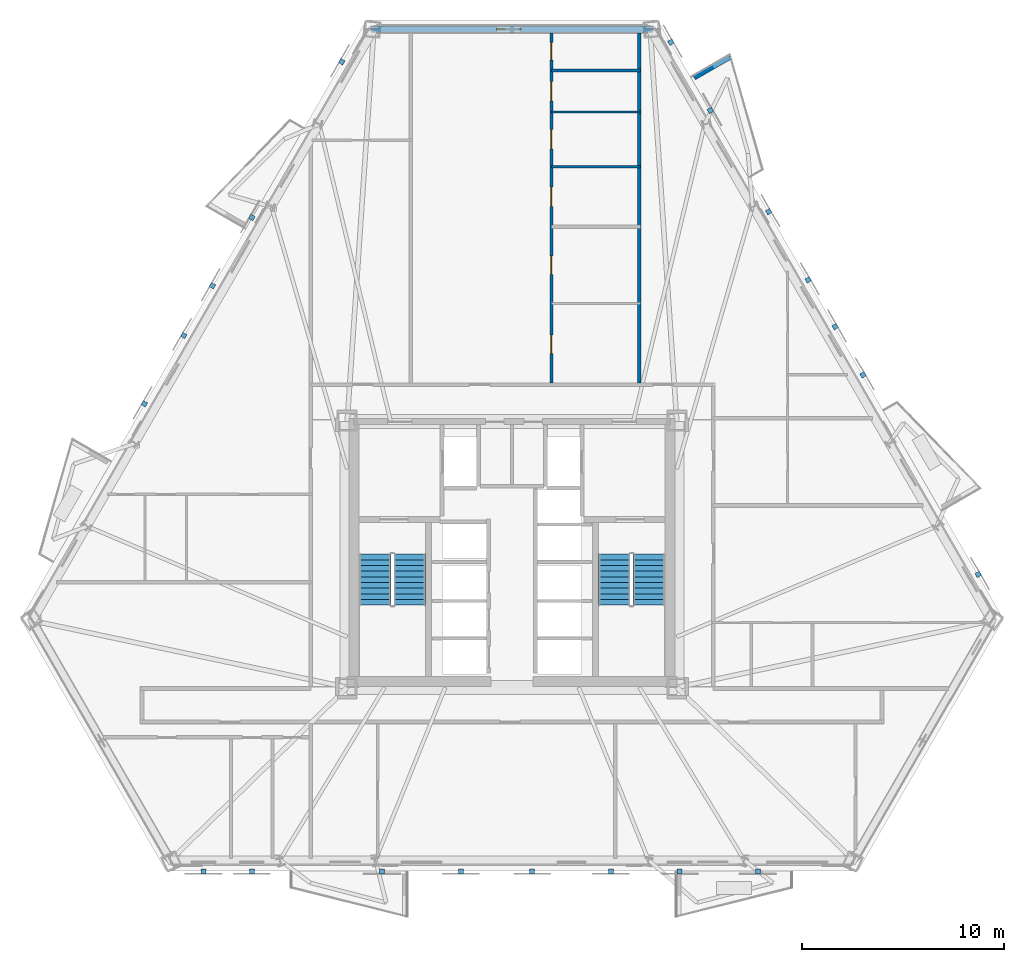
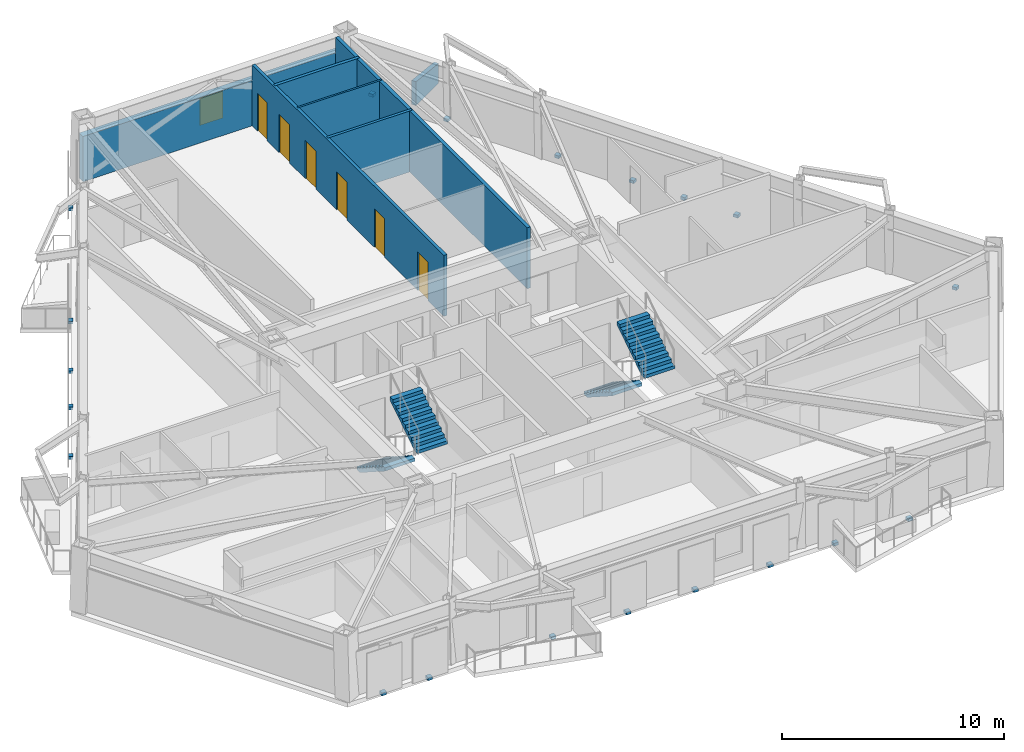
# One storey, part 6 of 10: 20 discrete accessories, 7 walls, 6 doors, 4 stair flights, 1 window, 7 openings, 2 elements without a shape of their own.
"""IFC4 building model written with IfcOpenShell, lengths in metres."""

from ifc_helpers import new_model, si_unit, direction, frame, frame_2d, origin, origin_2d, place, context, subcontext, project, spatial, polyline, rectangle, outline, extrude, material, layer, layer_set, type_object, element, fill, aggregate, save


model = new_model("IFC4")

# Units and contexts
model_context = context("Model", 3, precision=1e-05, world=origin(), true_north=direction((0.0, 1.0)))
body_context = subcontext(model_context, "Body", "Model", "MODEL_VIEW")
ifc_project = project(units=[si_unit("LENGTHUNIT", "METRE"), si_unit("AREAUNIT", "SQUARE_METRE"), si_unit("VOLUMEUNIT", "CUBIC_METRE"), si_unit("PLANEANGLEUNIT", "RADIAN"), si_unit("MASSUNIT", "GRAM", prefix="KILO")], contexts=[model_context])

# Site, building, storey
site_placement = place(None, origin())
site = spatial("IfcSite", under=ifc_project, at=site_placement, CompositionType="ELEMENT")
building_placement = place(site_placement, origin())
building = spatial("IfcBuilding", under=site, at=building_placement, Name="Oramaril Tower", CompositionType="ELEMENT")
storey_placement = place(building_placement, frame((0.0, 0.0, 63.300048828125)))
storey = spatial("IfcBuildingStorey", under=building, at=storey_placement, Name="L16", CompositionType="ELEMENT", Elevation=63.300048828125)

# Wall, opening, window
ifc_material_1 = material(Name="Warm Cream Limestone", Category="masonry")
ifc_layer_1 = layer(ifc_material_1, 0.340087890625)
ifc_layer_set_1 = layer_set([ifc_layer_1], Name="WT-EXT34")
wall_type_1 = type_object("IfcWallType", Name="WT-EXT34", PredefinedType="SOLIDWALL", material=ifc_layer_set_1)
wall_1_placement = place(storey_placement, frame((44.435791015625, 43.54638671875, 0.0), z_axis=(0.0, 0.0, 1.0), x_axis=(-1.0, 0.0, 0.0)))
wall_1 = element("IfcWall", 1, at=wall_1_placement, inside=storey, type_object=wall_type_1, Name="L16 Tower Limestone Facade Wall 5M", PredefinedType="SOLIDWALL", context=body_context, shape_type="SweptSolid", body=[
    extrude(rectangle(XDim=13.87158203125, YDim=0.340087890625, at=frame_2d((6.935791015625, 0.0))), origin(), (0.0, 0.0, 1.0), 2.493896484375),
])
opening_1_placement = place(wall_1_placement, frame((6.4951171875, 0.0, 0.85009765625)))
opening_1 = element("IfcOpeningElement", 2, at=opening_1_placement, cuts=wall_1, Name="Opening WN-09", PredefinedType="OPENING", context=body_context, shape_type="SweptSolid", body=[
    extrude(rectangle(XDim=1.199951171875, YDim=1.47998046875, at=frame_2d((0.60009765625, 0.739990234375))), frame((0.0, 0.169921875, 0.0), z_axis=(0.0, -1.0, 0.0), x_axis=(1.0, 0.0, 0.0)), (0.0, 0.0, 1.0), 0.340087890625),
])
ifc_material_2 = material(Name="Coastal Low-E Insulated Glass", Category="glass")
window_type = type_object("IfcWindowType", Name="WNT-09", PartitioningType="SINGLE_PANEL", PredefinedType="WINDOW", material=ifc_material_2)
window_placement = place(opening_1_placement, origin())
window = element("IfcWindow", 3, at=window_placement, inside=storey, type_object=window_type, Name="L16 Apartment Bedroom Window WN-09", OverallHeight=1.47998046875, OverallWidth=1.199951171875, PartitioningType="SINGLE_PANEL", PredefinedType="WINDOW", context=body_context, shape_type="SweptSolid", body=[
    extrude(rectangle(XDim=1.199951171875, YDim=1.47998046875, at=frame_2d((0.60009765625, 0.739990234375))), frame((0.0, 0.030029296875, 0.0), z_axis=(0.0, -1.0, 0.0), x_axis=(1.0, 0.0, 0.0)), (0.0, 0.0, 1.0), 0.06005859375),
])
fill(opening_1, window)

# Walls
ifc_material_3 = material(Name="Concrete C40/50", Category="concrete")
ifc_layer_2 = layer(ifc_material_3, 0.22998046875)
ifc_layer_set_2 = layer_set([ifc_layer_2], Name="WT-PRP23")
wall_type_2 = type_object("IfcWallType", Name="WT-PRP23", PredefinedType="PARAPET", material=ifc_layer_set_2)
wall_2_placement = place(storey_placement, frame((46.5107421875, 41.148193359375, 0.0), z_axis=(0.0, 0.0, 1.0), x_axis=(0.866042246008, 0.499970827278, 0.0)))
element("IfcWall", 4, at=wall_2_placement, inside=storey, type_object=wall_type_2, Name="L16 Trapezoidal Balcony Frame Cheek L16-BAL-NE2-R", PredefinedType="PARAPET", context=body_context, shape_type="SweptSolid", body=[
    extrude(outline(polyline([(0.0, 0.0), (2.0419921875, 0.0), (2.0419921875, 1.099853515625), (0.0, 1.320068359375), (0.0, 0.0)])), frame((0.0, 0.114990234375, 0.0), z_axis=(0.0, -1.0, 0.0), x_axis=(1.0, 0.0, 0.0)), (0.0, 0.0, 1.0), 0.22998046875),
])
ifc_material_4 = material(Name="Acoustic Gypsum Board Partition")
ifc_layer_3 = layer(ifc_material_4, 0.10009765625)
ifc_layer_set_3 = layer_set([ifc_layer_3], Name="WT-PT10")
wall_type_3 = type_object("IfcWallType", Name="WT-PT10", PredefinedType="PARTITIONING", material=ifc_layer_set_3)
wall_3_placement = place(storey_placement, frame((39.449951171875, 39.4599609375, 0.0), z_axis=(0.0, 0.0, 1.0), x_axis=(1.0, 0.0, 0.0)))
element("IfcWall", 5, at=wall_3_placement, inside=storey, type_object=wall_type_3, Name="L16 Interior Partition PT-10", PredefinedType="PARTITIONING", context=body_context, shape_type="SweptSolid", body=[
    extrude(rectangle(XDim=4.400146484375, YDim=0.10009765625, at=frame_2d((2.2001953125, 0.0))), origin(), (0.0, 0.0, 1.0), 3.35986328125),
])
ifc_material_5 = material(Name="Acoustic Gypsum Board Partition")
ifc_layer_4 = layer(ifc_material_5, 0.139892578125)
ifc_layer_set_4 = layer_set([ifc_layer_4], Name="WT-PT14")
wall_type_4 = type_object("IfcWallType", Name="WT-PT14", PredefinedType="PARTITIONING", material=ifc_layer_set_4)
wall_4_placement = place(storey_placement, frame((39.449951171875, 36.75, 0.0), z_axis=(0.0, 0.0, 1.0), x_axis=(1.0, 0.0, 0.0)))
element("IfcWall", 6, at=wall_4_placement, inside=storey, type_object=wall_type_4, Name="L16 Interior Partition PT-14", PredefinedType="PARTITIONING", context=body_context, shape_type="SweptSolid", body=[
    extrude(rectangle(XDim=4.400146484375, YDim=0.139892578125, at=frame_2d((2.2001953125, 0.0))), origin(), (0.0, 0.0, 1.0), 3.35986328125),
])
ifc_material_6 = material(Name="Acoustic Gypsum Board Partition")
ifc_layer_5 = layer(ifc_material_6, 0.159912109375)
ifc_layer_set_5 = layer_set([ifc_layer_5], Name="WT-PT16")
wall_type_5 = type_object("IfcWallType", Name="WT-PT16", PredefinedType="PARTITIONING", material=ifc_layer_set_5)
wall_5_placement = place(storey_placement, frame((39.449951171875, 41.510009765625, 0.0), z_axis=(0.0, 0.0, 1.0), x_axis=(1.0, 0.0, 0.0)))
element("IfcWall", 7, at=wall_5_placement, inside=storey, type_object=wall_type_5, Name="L16 Interior Partition PT-16", PredefinedType="PARTITIONING", context=body_context, shape_type="SweptSolid", body=[
    extrude(rectangle(XDim=4.400146484375, YDim=0.159912109375, at=frame_2d((2.2001953125, 0.0))), origin(), (0.0, 0.0, 1.0), 3.35986328125),
])

# Wall, openings, doors
wall_6_placement = place(storey_placement, frame((39.449951171875, 26.06396484375, 0.0), z_axis=(0.0, 0.0, 1.0), x_axis=(0.0, 1.0, 0.0)))
wall_6 = element("IfcWall", 8, at=wall_6_placement, inside=storey, type_object=wall_type_5, Name="L16 Interior Partition PT-16", PredefinedType="PARTITIONING", context=body_context, shape_type="SweptSolid", body=[
    extrude(rectangle(XDim=17.30859375, YDim=0.159912109375, at=frame_2d((8.654296875, 0.0))), origin(), (0.0, 0.0, 1.0), 3.35986328125),
])
opening_2_placement = place(wall_6_placement, frame((1.443359375, 0.0, 0.0)))
opening_2 = element("IfcOpeningElement", 9, at=opening_2_placement, cuts=wall_6, Name="Opening D-L16-19", PredefinedType="OPENING", context=body_context, shape_type="SweptSolid", body=[
    extrude(rectangle(XDim=0.919921875, YDim=2.1201171875, at=frame_2d((0.4599609375, 1.06005859375))), frame((0.0, 0.080078125, 0.0), z_axis=(0.0, -1.0, 0.0), x_axis=(1.0, 0.0, 0.0)), (0.0, 0.0, 1.0), 0.159912109375),
])
opening_3_placement = place(wall_6_placement, frame((5.36328125, 0.0, 0.0)))
opening_3 = element("IfcOpeningElement", 10, at=opening_3_placement, cuts=wall_6, Name="Opening D-L16-20", PredefinedType="OPENING", context=body_context, shape_type="SweptSolid", body=[
    extrude(rectangle(XDim=0.919921875, YDim=2.1201171875, at=frame_2d((0.4599609375, 1.06005859375))), frame((0.0, 0.080078125, 0.0), z_axis=(0.0, -1.0, 0.0), x_axis=(1.0, 0.0, 0.0)), (0.0, 0.0, 1.0), 0.159912109375),
])
opening_4_placement = place(wall_6_placement, frame((8.727294921875, 0.0, 0.0)))
opening_4 = element("IfcOpeningElement", 11, at=opening_4_placement, cuts=wall_6, Name="Opening D-L16-21", PredefinedType="OPENING", context=body_context, shape_type="SweptSolid", body=[
    extrude(rectangle(XDim=0.949951171875, YDim=2.10009765625, at=frame_2d((0.47509765625, 1.050048828125))), frame((0.0, 0.080078125, 0.0), z_axis=(0.0, -1.0, 0.0), x_axis=(1.0, 0.0, 0.0)), (0.0, 0.0, 1.0), 0.159912109375),
])
opening_5_placement = place(wall_6_placement, frame((11.56591796875, 0.0, 0.0)))
opening_5 = element("IfcOpeningElement", 12, at=opening_5_placement, cuts=wall_6, Name="Opening D-L16-22", PredefinedType="OPENING", context=body_context, shape_type="SweptSolid", body=[
    extrude(rectangle(XDim=0.949951171875, YDim=2.10009765625, at=frame_2d((0.47509765625, 1.050048828125))), frame((0.0, 0.080078125, 0.0), z_axis=(0.0, -1.0, 0.0), x_axis=(1.0, 0.0, 0.0)), (0.0, 0.0, 1.0), 0.159912109375),
])
opening_6_placement = place(wall_6_placement, frame((13.9423828125, 0.0, 0.0)))
opening_6 = element("IfcOpeningElement", 13, at=opening_6_placement, cuts=wall_6, Name="Opening D-L16-23", PredefinedType="OPENING", context=body_context, shape_type="SweptSolid", body=[
    extrude(rectangle(XDim=0.949951171875, YDim=2.10009765625, at=frame_2d((0.47509765625, 1.050048828125))), frame((0.0, 0.080078125, 0.0), z_axis=(0.0, -1.0, 0.0), x_axis=(1.0, 0.0, 0.0)), (0.0, 0.0, 1.0), 0.159912109375),
])
opening_7_placement = place(wall_6_placement, frame((15.96240234375, 0.0, 0.0)))
opening_7 = element("IfcOpeningElement", 14, at=opening_7_placement, cuts=wall_6, Name="Opening D-L16-24", PredefinedType="OPENING", context=body_context, shape_type="SweptSolid", body=[
    extrude(rectangle(XDim=0.8798828125, YDim=2.080078125, at=frame_2d((0.43994140625, 1.0400390625))), frame((0.0, 0.080078125, 0.0), z_axis=(0.0, -1.0, 0.0), x_axis=(1.0, 0.0, 0.0)), (0.0, 0.0, 1.0), 0.159912109375),
])
ifc_material_7 = material(Name="FSC Brazilian Freijo Hardwood", Category="wood")
door_type_1 = type_object("IfcDoorType", Name="DT-BATH", OperationType="NOTDEFINED", PredefinedType="DOOR", material=ifc_material_7)
door_1_placement = place(opening_7_placement, origin())
door_1 = element("IfcDoor", 15, at=door_1_placement, inside=storey, type_object=door_type_1, Name="L16 Flat L16-U8 Bathroom Door D-L16-24", OperationType="SINGLE_SWING_LEFT", OverallHeight=2.080078125, OverallWidth=0.8798828125, PredefinedType="DOOR", context=body_context, shape_type="SweptSolid", body=[
    extrude(rectangle(XDim=0.8798828125, YDim=2.080078125, at=frame_2d((0.43994140625, 1.0400390625))), frame((0.0, 0.02490234375, 0.0), z_axis=(0.0, -1.0, 0.0), x_axis=(1.0, 0.0, 0.0)), (0.0, 0.0, 1.0), 0.050048828125),
])
fill(opening_7, door_1)
ifc_material_8 = material(Name="FSC Brazilian Freijo Hardwood", Category="wood")
door_type_2 = type_object("IfcDoorType", Name="DT-BED", OperationType="NOTDEFINED", PredefinedType="DOOR", material=ifc_material_8)
door_2_placement = place(opening_2_placement, origin())
door_2 = element("IfcDoor", 16, at=door_2_placement, inside=storey, type_object=door_type_2, Name="L16 Flat L16-U8 Master Bedroom Door D-L16-19", OperationType="SINGLE_SWING_RIGHT", OverallHeight=2.1201171875, OverallWidth=0.919921875, PredefinedType="DOOR", context=body_context, shape_type="SweptSolid", body=[
    extrude(rectangle(XDim=0.919921875, YDim=2.1201171875, at=frame_2d((0.4599609375, 1.06005859375))), frame((0.0, 0.02490234375, 0.0), z_axis=(0.0, -1.0, 0.0), x_axis=(1.0, 0.0, 0.0)), (0.0, 0.0, 1.0), 0.050048828125),
])
fill(opening_2, door_2)
door_3_placement = place(opening_3_placement, origin())
door_3 = element("IfcDoor", 17, at=door_3_placement, inside=storey, type_object=door_type_2, Name="L16 Flat L16-U8 Bedroom 2 Door D-L16-20", OperationType="SINGLE_SWING_LEFT", OverallHeight=2.1201171875, OverallWidth=0.919921875, PredefinedType="DOOR", context=body_context, shape_type="SweptSolid", body=[
    extrude(rectangle(XDim=0.919921875, YDim=2.1201171875, at=frame_2d((0.4599609375, 1.06005859375))), frame((0.0, 0.02490234375, 0.0), z_axis=(0.0, -1.0, 0.0), x_axis=(1.0, 0.0, 0.0)), (0.0, 0.0, 1.0), 0.050048828125),
])
fill(opening_3, door_3)
ifc_material_9 = material(Name="FSC Brazilian Freijo Hardwood", Category="wood")
door_type_3 = type_object("IfcDoorType", Name="DT-STDY", OperationType="NOTDEFINED", PredefinedType="DOOR", material=ifc_material_9)
door_4_placement = place(opening_4_placement, origin())
door_4 = element("IfcDoor", 18, at=door_4_placement, inside=storey, type_object=door_type_3, Name="L16 Flat L16-U8 Breakfast Dining Room Door D-L16-21", OperationType="SINGLE_SWING_RIGHT", OverallHeight=2.10009765625, OverallWidth=0.949951171875, PredefinedType="DOOR", context=body_context, shape_type="SweptSolid", body=[
    extrude(rectangle(XDim=0.949951171875, YDim=2.10009765625, at=frame_2d((0.47509765625, 1.050048828125))), frame((0.0, 0.02490234375, 0.0), z_axis=(0.0, -1.0, 0.0), x_axis=(1.0, 0.0, 0.0)), (0.0, 0.0, 1.0), 0.050048828125),
])
fill(opening_4, door_4)
door_5_placement = place(opening_5_placement, origin())
door_5 = element("IfcDoor", 19, at=door_5_placement, inside=storey, type_object=door_type_3, Name="L16 Flat L16-U8 Private Dining Room Door D-L16-22", OperationType="SINGLE_SWING_LEFT", OverallHeight=2.10009765625, OverallWidth=0.949951171875, PredefinedType="DOOR", context=body_context, shape_type="SweptSolid", body=[
    extrude(rectangle(XDim=0.949951171875, YDim=2.10009765625, at=frame_2d((0.47509765625, 1.050048828125))), frame((0.0, 0.02490234375, 0.0), z_axis=(0.0, -1.0, 0.0), x_axis=(1.0, 0.0, 0.0)), (0.0, 0.0, 1.0), 0.050048828125),
])
fill(opening_5, door_5)
door_6_placement = place(opening_6_placement, origin())
door_6 = element("IfcDoor", 20, at=door_6_placement, inside=storey, type_object=door_type_3, Name="L16 Flat L16-U8 Kitchen Door D-L16-23", OperationType="SINGLE_SWING_RIGHT", OverallHeight=2.10009765625, OverallWidth=0.949951171875, PredefinedType="DOOR", context=body_context, shape_type="SweptSolid", body=[
    extrude(rectangle(XDim=0.949951171875, YDim=2.10009765625, at=frame_2d((0.47509765625, 1.050048828125))), frame((0.0, 0.02490234375, 0.0), z_axis=(0.0, -1.0, 0.0), x_axis=(1.0, 0.0, 0.0)), (0.0, 0.0, 1.0), 0.050048828125),
])
fill(opening_6, door_6)

# Wall
ifc_material_10 = material(Name="Autoclaved Cellular Concrete Block", Category="concrete")
ifc_layer_6 = layer(ifc_material_10, 0.179931640625)
ifc_layer_set_6 = layer_set([ifc_layer_6], Name="WT-PT18")
wall_type_6 = type_object("IfcWallType", Name="WT-PT18", PredefinedType="PARTITIONING", material=ifc_layer_set_6)
wall_7_placement = place(storey_placement, frame((43.800048828125, 26.06396484375, 0.0), z_axis=(0.0, 0.0, 1.0), x_axis=(0.0, 1.0, 0.0)))
element("IfcWall", 21, at=wall_7_placement, inside=storey, type_object=wall_type_6, Name="L16 Interior Partition PT-18", PredefinedType="PARTITIONING", context=body_context, shape_type="SweptSolid", body=[
    extrude(rectangle(XDim=17.30859375, YDim=0.179931640625, at=frame_2d((8.654296875, 0.0))), origin(), (0.0, 0.0, 1.0), 3.35986328125),
])

# Stair, stair flights
ifc_material_11 = material(Name="Concrete C50/60", Category="concrete")
stair_type = type_object("IfcStairType", Name="STT-DG-3600", PredefinedType="HALF_TURN_STAIR", material=ifc_material_11)
stair_1_placement = place(storey_placement, origin())
stair_1 = element("IfcStair", 22, at=stair_1_placement, inside=storey, type_object=stair_type, Name="L16 Protected PFP Exit Stair ST-1", PredefinedType="HALF_TURN_STAIR")
ifc_material_12 = material(Name="Concrete C50/60", Category="concrete")
stair_flight_type = type_object("IfcStairFlightType", Name="SFT-DG-3600", PredefinedType="STRAIGHT", material=ifc_material_12)
stair_flight_1_placement = place(storey_placement, frame((30.72998046875, 17.590087890625, 0.0), z_axis=(0.0, 0.0, 1.0), x_axis=(0.0, -1.0, 0.0)))
stair_flight_1 = element("IfcStairFlight", 23, at=stair_flight_1_placement, type_object=stair_flight_type, Name="ST-1 flight 1", NumberOfRisers=10, NumberOfTreads=9, PredefinedType="STRAIGHT", RiserHeight=0.18, TreadLength=0.28, context=body_context, shape_type="SweptSolid", body=[
    extrude(outline(polyline([(0.0, 0.0), (0.0, 0.179931640625), (0.280029296875, 0.179931640625), (0.280029296875, 0.360107421875), (0.56005859375, 0.360107421875), (0.56005859375, 0.5400390625), (0.840087890625, 0.5400390625), (0.840087890625, 0.719970703125), (1.1201171875, 0.719970703125), (1.1201171875, 0.89990234375), (1.39990234375, 0.89990234375), (1.39990234375, 1.080078125), (1.679931640625, 1.080078125), (1.679931640625, 1.260009765625), (1.9599609375, 1.260009765625), (1.9599609375, 1.43994140625), (2.239990234375, 1.43994140625), (2.239990234375, 1.6201171875), (2.52001953125, 1.6201171875), (2.52001953125, 1.800048828125), (2.52001953125, 1.44189453125), (0.277099609375, 0.0), (0.0, 0.0)])), frame((0.0, 0.780029296875, 0.0), z_axis=(0.0, -1.0, 0.0), x_axis=(1.0, 0.0, 0.0)), (0.0, 0.0, 1.0), 1.56005859375),
])
stair_flight_2_placement = place(storey_placement, frame((32.43994140625, 15.070068359375, 1.800048828125), z_axis=(0.0, 0.0, 1.0), x_axis=(0.0, 1.0, 0.0)))
stair_flight_2 = element("IfcStairFlight", 24, at=stair_flight_2_placement, type_object=stair_flight_type, Name="ST-1 flight 2", NumberOfRisers=10, NumberOfTreads=9, PredefinedType="STRAIGHT", RiserHeight=0.18, TreadLength=0.28, context=body_context, shape_type="SweptSolid", body=[
    extrude(outline(polyline([(0.0, 0.0), (0.0, 0.179931640625), (0.280029296875, 0.179931640625), (0.280029296875, 0.360107421875), (0.56005859375, 0.360107421875), (0.56005859375, 0.5400390625), (0.840087890625, 0.5400390625), (0.840087890625, 0.719970703125), (1.1201171875, 0.719970703125), (1.1201171875, 0.89990234375), (1.39990234375, 0.89990234375), (1.39990234375, 1.080078125), (1.679931640625, 1.080078125), (1.679931640625, 1.260009765625), (1.9599609375, 1.260009765625), (1.9599609375, 1.43994140625), (2.239990234375, 1.43994140625), (2.239990234375, 1.6201171875), (2.52001953125, 1.6201171875), (2.52001953125, 1.800048828125), (2.52001953125, 1.44189453125), (0.277099609375, 0.0), (0.0, 0.0)])), frame((0.0, 0.780029296875, 0.0), z_axis=(0.0, -1.0, 0.0), x_axis=(1.0, 0.0, 0.0)), (0.0, 0.0, 1.0), 1.56005859375),
])
aggregate(stair_1, [stair_flight_1, stair_flight_2])

stair_2_placement = place(storey_placement, origin())
stair_2 = element("IfcStair", 25, at=stair_2_placement, inside=storey, type_object=stair_type, Name="L16 Protected PFP Exit Stair ST-2", PredefinedType="HALF_TURN_STAIR")
stair_flight_3_placement = place(storey_placement, frame((42.56005859375, 17.590087890625, 0.0), z_axis=(0.0, 0.0, 1.0), x_axis=(0.0, -1.0, 0.0)))
stair_flight_3 = element("IfcStairFlight", 26, at=stair_flight_3_placement, type_object=stair_flight_type, Name="ST-2 flight 1", NumberOfRisers=10, NumberOfTreads=9, PredefinedType="STRAIGHT", RiserHeight=0.18, TreadLength=0.28, context=body_context, shape_type="SweptSolid", body=[
    extrude(outline(polyline([(0.0, 0.0), (0.0, 0.179931640625), (0.280029296875, 0.179931640625), (0.280029296875, 0.360107421875), (0.56005859375, 0.360107421875), (0.56005859375, 0.5400390625), (0.840087890625, 0.5400390625), (0.840087890625, 0.719970703125), (1.1201171875, 0.719970703125), (1.1201171875, 0.89990234375), (1.39990234375, 0.89990234375), (1.39990234375, 1.080078125), (1.679931640625, 1.080078125), (1.679931640625, 1.260009765625), (1.9599609375, 1.260009765625), (1.9599609375, 1.43994140625), (2.239990234375, 1.43994140625), (2.239990234375, 1.6201171875), (2.52001953125, 1.6201171875), (2.52001953125, 1.800048828125), (2.52001953125, 1.44189453125), (0.277099609375, 0.0), (0.0, 0.0)])), frame((0.0, 0.780029296875, 0.0), z_axis=(0.0, -1.0, 0.0), x_axis=(1.0, 0.0, 0.0)), (0.0, 0.0, 1.0), 1.56005859375),
])
stair_flight_4_placement = place(storey_placement, frame((44.27001953125, 15.070068359375, 1.800048828125), z_axis=(0.0, 0.0, 1.0), x_axis=(0.0, 1.0, 0.0)))
stair_flight_4 = element("IfcStairFlight", 27, at=stair_flight_4_placement, type_object=stair_flight_type, Name="ST-2 flight 2", NumberOfRisers=10, NumberOfTreads=9, PredefinedType="STRAIGHT", RiserHeight=0.18, TreadLength=0.28, context=body_context, shape_type="SweptSolid", body=[
    extrude(outline(polyline([(0.0, 0.0), (0.0, 0.179931640625), (0.280029296875, 0.179931640625), (0.280029296875, 0.360107421875), (0.56005859375, 0.360107421875), (0.56005859375, 0.5400390625), (0.840087890625, 0.5400390625), (0.840087890625, 0.719970703125), (1.1201171875, 0.719970703125), (1.1201171875, 0.89990234375), (1.39990234375, 0.89990234375), (1.39990234375, 1.080078125), (1.679931640625, 1.080078125), (1.679931640625, 1.260009765625), (1.9599609375, 1.260009765625), (1.9599609375, 1.43994140625), (2.239990234375, 1.43994140625), (2.239990234375, 1.6201171875), (2.52001953125, 1.6201171875), (2.52001953125, 1.800048828125), (2.52001953125, 1.44189453125), (0.277099609375, 0.0), (0.0, 0.0)])), frame((0.0, 0.780029296875, 0.0), z_axis=(0.0, -1.0, 0.0), x_axis=(1.0, 0.0, 0.0)), (0.0, 0.0, 1.0), 1.56005859375),
])
aggregate(stair_2, [stair_flight_3, stair_flight_4])

# Discrete accessories
for number, where, z_axis, x_axis, name in (
    (28, (31.069580078125, 1.890380859375, -0.14013671875), (0.0, 0.0, 1.0), (1.0, 0.0, 0.0), "L16 Solar Screen Slab Bracket"),
    (29, (34.9697265625, 1.890380859375, -0.14013671875), (0.0, 0.0, 1.0), (1.0, 0.0, 0.0), "L16 Solar Screen Slab Bracket"),
    (30, (38.4912109375, 1.890380859375, -0.14013671875), (0.0, 0.0, 1.0), (1.0, 0.0, 0.0), "L16 Solar Screen Slab Bracket"),
    (31, (42.391357421875, 1.890380859375, -0.14013671875), (0.0, 0.0, 1.0), (1.0, 0.0, 0.0), "L16 Solar Screen Slab Bracket"),
    (32, (45.78369140625, 1.890380859375, -0.14013671875), (0.0, 0.0, 1.0), (1.0, 0.0, 0.0), "L16 Solar Screen Slab Bracket"),
    (33, (49.657470703125, 1.890380859375, -0.14013671875), (0.0, 0.0, 1.0), (1.0, 0.0, 0.0), "L16 Solar Screen Slab Bracket"),
    (34, (22.242431640625, 1.890380859375, -0.14013671875), (0.0, 0.0, 1.0), (1.0, 0.0, 0.0), "L16 Solar Screen Slab Bracket"),
    (35, (24.635009765625, 1.890380859375, -0.14013671875), (0.0, 0.0, 1.0), (1.0, 0.0, 0.0), "L16 Solar Screen Slab Bracket"),
    (36, (60.553955078125, 16.588623046875, -0.14013671875), (0.0, 0.0, 1.0), (-0.4999984885, 0.866026276448, 0.0), "L16 Solar Screen Slab Bracket"),
    (37, (52.145751953125, 31.152099609375, -0.14013671875), (0.0, 0.0, 1.0), (-0.4999984885, 0.866026276448, 0.0), "L16 Solar Screen Slab Bracket"),
    (38, (50.19580078125, 34.52978515625, -0.14013671875), (0.0, 0.0, 1.0), (-0.4999984885, 0.866026276448, 0.0), "L16 Solar Screen Slab Bracket"),
    (39, (47.308837890625, 39.5302734375, -0.14013671875), (0.0, 0.0, 1.0), (-0.4999984885, 0.866026276448, 0.0), "L16 Solar Screen Slab Bracket"),
    (40, (45.35888671875, 42.90771484375, -0.14013671875), (0.0, 0.0, 1.0), (-0.4999984885, 0.866026276448, 0.0), "L16 Solar Screen Slab Bracket"),
    (41, (54.857421875, 26.45556640625, -0.14013671875), (0.0, 0.0, 1.0), (-0.4999984885, 0.866026276448, 0.0), "L16 Solar Screen Slab Bracket"),
    (42, (53.4814453125, 28.838623046875, -0.14013671875), (0.0, 0.0, 1.0), (-0.4999984885, 0.866026276448, 0.0), "L16 Solar Screen Slab Bracket"),
    (43, (24.6376953125, 34.2412109375, -0.14013671875), (0.0, 0.0, 1.0), (-0.4999984885, -0.866026276448, 0.0), "L16 Solar Screen Slab Bracket"),
    (44, (22.687744140625, 30.86376953125, -0.14013671875), (0.0, 0.0, 1.0), (-0.4999984885, -0.866026276448, 0.0), "L16 Solar Screen Slab Bracket"),
    (45, (21.26904296875, 28.406494140625, -0.14013671875), (0.0, 0.0, 1.0), (-0.4999984885, -0.866026276448, 0.0), "L16 Solar Screen Slab Bracket"),
    (46, (19.319091796875, 25.029052734375, -0.14013671875), (0.0, 0.0, 1.0), (-0.4999984885, -0.866026276448, 0.0), "L16 Solar Screen Slab Bracket"),
    (47, (29.082763671875, 41.940185546875, -0.14013671875), (0.0, 0.0, 1.0), (-0.4999984885, -0.866026276448, 0.0), "L16 Solar Screen Slab Bracket"),
):
    element("IfcDiscreteAccessory", number, at=place(storey_placement, frame(where, z_axis=z_axis, x_axis=x_axis)), inside=storey, Name=name, PredefinedType="BRACKET", context=body_context, shape_type="SweptSolid", body=[
        extrude(rectangle(XDim=0.239990234375, YDim=0.239990234375, at=origin_2d()), origin(), (0.0, 0.0, 1.0), 0.159912109375),
    ])

save(model, "model.ifc")
